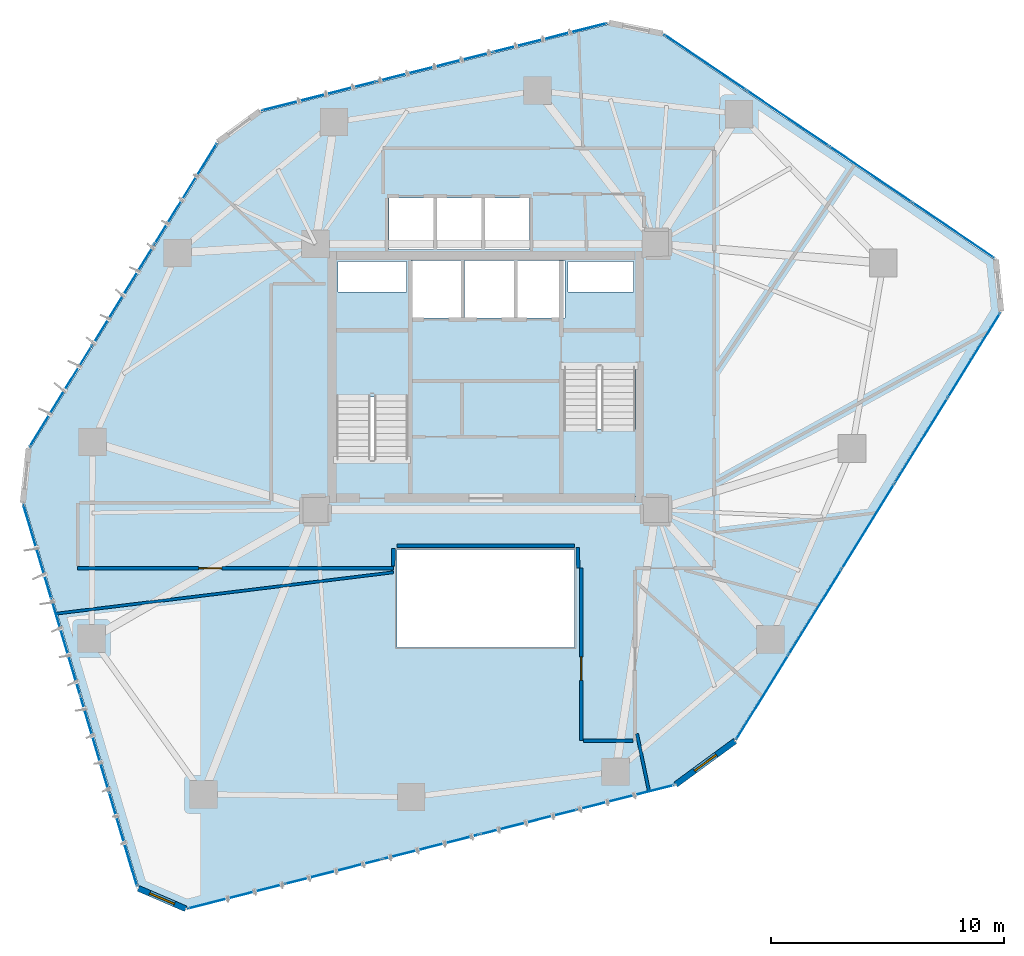
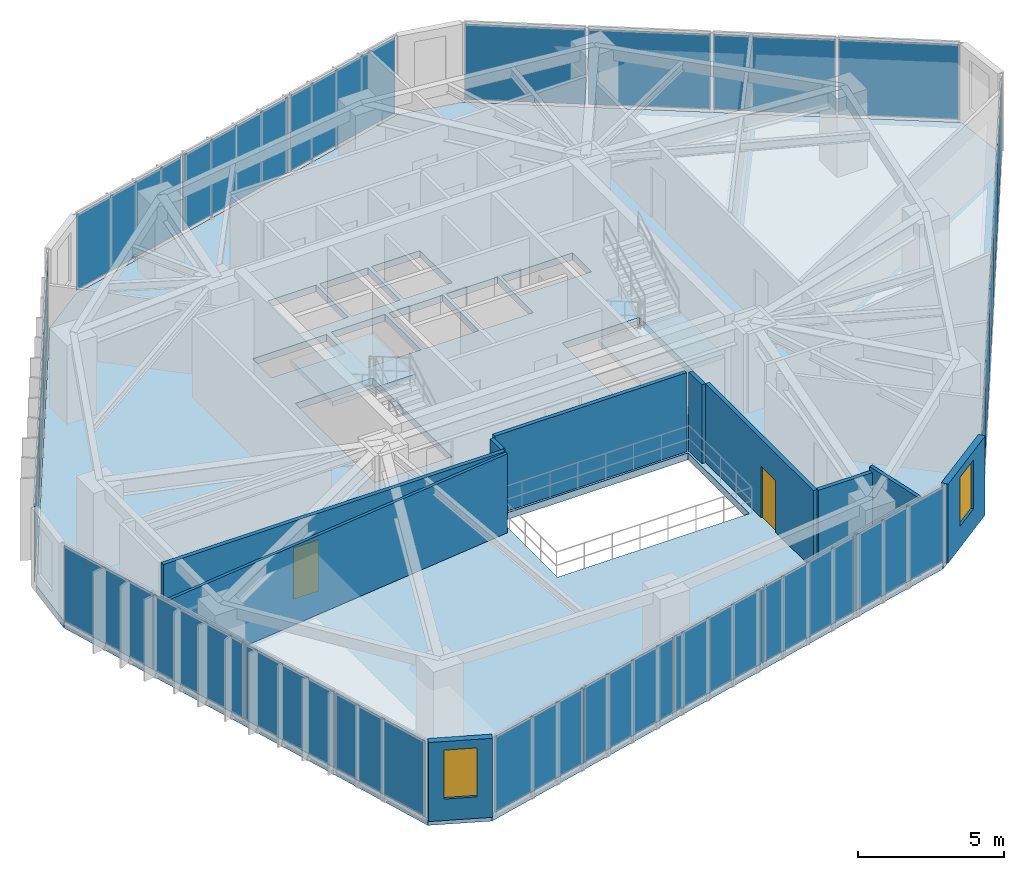
# One storey, part 15 of 20: 24 plates, 10 walls, 3 slabs, 2 doors, 2 windows, 4 openings, 8 elements without a shape of their own.
"""IFC4 building model written with IfcOpenShell, lengths in metres."""

from ifc_helpers import new_model, si_unit, direction, frame, frame_2d, origin, origin_2d, place, context, subcontext, project, spatial, polyline, rectangle, outline, extrude, source, transform, mapped, material, layer, layer_set, type_object, type_shapes, element, fill, aggregate, save


model = new_model("IFC4")

# Units and contexts
model_context = context("Model", 3, precision=1e-05, world=origin(), true_north=direction((0.0, 1.0)))
body_context = subcontext(model_context, "Body", "Model", "MODEL_VIEW")
ifc_project = project(units=[si_unit("LENGTHUNIT", "METRE"), si_unit("AREAUNIT", "SQUARE_METRE"), si_unit("VOLUMEUNIT", "CUBIC_METRE"), si_unit("PLANEANGLEUNIT", "RADIAN"), si_unit("MASSUNIT", "GRAM", prefix="KILO")], contexts=[model_context])

# Site, building, storey
site_placement = place(None, origin())
site = spatial("IfcSite", under=ifc_project, at=site_placement, CompositionType="ELEMENT")
building_placement = place(site_placement, origin())
building = spatial("IfcBuilding", under=site, at=building_placement, Name="Talar Marvaseh", CompositionType="ELEMENT")
storey_placement = place(building_placement, frame((0.0, 0.0, 132.60009765625)))
storey = spatial("IfcBuildingStorey", under=building, at=storey_placement, Name="L34", CompositionType="ELEMENT", Elevation=132.60009765625)

# Stair, slab
ifc_material_1 = material(Name="Concrete C40/50", Category="concrete")
stair_type = type_object("IfcStairType", Name="Reinforced Concrete Half-Turn Exit Stair Type B", PredefinedType="HALF_TURN_STAIR", material=ifc_material_1)
stair_1_placement = place(storey_placement, origin())
stair_1 = element("IfcStair", 1, at=stair_1_placement, inside=storey, type_object=stair_type, Name="L34 Tower West Core Exit Stair", PredefinedType="HALF_TURN_STAIR")
ifc_layer_1 = layer(ifc_material_1, 0.199951171875)
ifc_layer_set_1 = layer_set([ifc_layer_1], Name="Concrete C40/50")
slab_type_1 = type_object("IfcSlabType", Name="Reinforced Concrete Stair Half-Landing Slab 200", PredefinedType="LANDING", material=ifc_layer_set_1)
slab_1_placement = place(storey_placement, frame((0.0, 0.0, 1.599853515625)))
slab_1 = element("IfcSlab", 2, at=slab_1_placement, type_object=slab_type_1, Name="ST-1 landing 1", PredefinedType="LANDING", context=body_context, shape_type="SweptSolid", body=[
    extrude(outline(polyline([(22.780029296875, 30.330078125), (22.780029296875, 33.219970703125), (19.47998046875, 33.219970703125), (19.47998046875, 30.330078125), (22.780029296875, 30.330078125)])), origin(), (0.0, 0.0, 1.0), 0.199951171875),
])
aggregate(stair_1, [slab_1])

stair_2_placement = place(storey_placement, origin())
stair_2 = element("IfcStair", 3, at=stair_2_placement, inside=storey, type_object=stair_type, Name="L34 Tower East Core Exit Stair", PredefinedType="HALF_TURN_STAIR")
slab_2_placement = place(storey_placement, frame((0.0, 0.0, 1.599853515625)))
slab_2 = element("IfcSlab", 4, at=slab_2_placement, type_object=slab_type_1, Name="ST-2 landing 1", PredefinedType="LANDING", context=body_context, shape_type="SweptSolid", body=[
    extrude(outline(polyline([(29.219970703125, 28.969970703125), (29.219970703125, 26.080078125), (32.52001953125, 26.080078125), (32.52001953125, 28.969970703125), (29.219970703125, 28.969970703125)])), origin(), (0.0, 0.0, 1.0), 0.199951171875),
])
aggregate(stair_2, [slab_2])

# Slab
ifc_layer_2 = layer(ifc_material_1, 0.2900390625)
ifc_layer_set_2 = layer_set([ifc_layer_2], Name="Concrete C40/50")
slab_type_2 = type_object("IfcSlabType", Name="Structural Suspended Floor Slab 290", PredefinedType="FLOOR", material=ifc_layer_set_2)
slab_3_placement = place(storey_placement, frame((0.0, 0.0, -0.2900390625)))
element("IfcSlab", 5, at=slab_3_placement, inside=storey, type_object=slab_type_2, Name="L34 Tower Floor Slab", PredefinedType="FLOOR", context=body_context, shape_type="SweptSolid", body=[
    extrude(outline(polyline([(13.160400390625, 8.44384765625), (11.125, 9.321533203125), (6.214599609375, 25.796875), (6.46435546875, 28.12451171875), (14.54736328125, 41.220947265625), (16.35791015625, 42.548583984375), (31.279052734375, 46.319091796875), (33.57373046875, 45.857421875), (47.81005859375, 36.22021484375), (48.034912109375, 34.014892578125), (36.65673828125, 15.634033203125), (34.1123046875, 13.768310546875), (13.160400390625, 8.44384765625)]), holes=[polyline([(22.659912109375, 27.64990234375), (22.659912109375, 33.10009765625), (19.60009765625, 33.10009765625), (19.60009765625, 27.64990234375), (22.659912109375, 27.64990234375)]), polyline([(29.340087890625, 31.64990234375), (29.340087890625, 26.199951171875), (32.39990234375, 26.199951171875), (32.39990234375, 31.64990234375), (29.340087890625, 31.64990234375)]), polyline([(22.800048828125, 33.719970703125), (24.93994140625, 33.719970703125), (24.93994140625, 36.179931640625), (22.800048828125, 36.179931640625), (22.800048828125, 33.719970703125)]), polyline([(25.080078125, 33.719970703125), (27.219970703125, 33.719970703125), (27.219970703125, 36.179931640625), (25.080078125, 36.179931640625), (25.080078125, 33.719970703125)]), polyline([(27.360107421875, 33.719970703125), (29.39990234375, 33.719970703125), (29.39990234375, 36.179931640625), (27.360107421875, 36.179931640625), (27.360107421875, 33.719970703125)]), polyline([(21.840087890625, 36.659912109375), (23.760009765625, 36.659912109375), (23.760009765625, 38.8798828125), (21.840087890625, 38.8798828125), (21.840087890625, 36.659912109375)]), polyline([(23.89990234375, 36.659912109375), (25.820068359375, 36.659912109375), (25.820068359375, 38.8798828125), (23.89990234375, 38.8798828125), (23.89990234375, 36.659912109375)]), polyline([(25.9599609375, 36.659912109375), (27.8798828125, 36.659912109375), (27.8798828125, 38.8798828125), (25.9599609375, 38.8798828125), (25.9599609375, 36.659912109375)]), polyline([(19.659912109375, 34.840087890625), (22.60009765625, 34.840087890625), (22.60009765625, 36.139892578125), (19.659912109375, 36.139892578125), (19.659912109375, 34.840087890625)]), polyline([(29.52001953125, 34.840087890625), (32.340087890625, 34.840087890625), (32.340087890625, 36.139892578125), (29.52001953125, 36.139892578125), (29.52001953125, 34.840087890625)]), polyline([(22.199951171875, 19.60009765625), (29.800048828125, 19.60009765625), (29.800048828125, 23.800048828125), (22.199951171875, 23.800048828125), (22.199951171875, 19.60009765625)])]), origin(), (0.0, 0.0, 1.0), 0.2900390625),
])

# Curtain wall, plates
ifc_material_2 = material(Name="Architectural Aluminium", Category="aluminium")
ifc_layer_3 = layer(ifc_material_2, 0.199951171875)
ifc_layer_set_3 = layer_set([ifc_layer_3], Name="Architectural Aluminium")
curtain_wall_type = type_object("IfcCurtainWallType", Name="Unitised Acoustic Library Curtain Wall Z2", PredefinedType="NOTDEFINED", material=ifc_layer_set_3)
curtain_wall_1_placement = place(storey_placement, origin())
curtain_wall_1 = element("IfcCurtainWall", 6, at=curtain_wall_1_placement, inside=storey, type_object=curtain_wall_type, Name="L34 Unitised Acoustic Library Curtain Wall Z2", PredefinedType="NOTDEFINED")
ifc_material_3 = material(Name="Laminated Low-E Solar Glass", Category="glass")
ifc_layer_4 = layer(ifc_material_3, 0.028076171875)
ifc_layer_set_4 = layer_set([ifc_layer_4], Name="Laminated Low-E Solar Glass")
plate_type = type_object("IfcPlateType", Name="Double-Glazed Low-E Vision Curtain Panel 28", PredefinedType="CURTAIN_PANEL", material=ifc_layer_set_4)
shared_shape_1 = source(origin(), body_context, "Body", "SweptSolid", [
    extrude(rectangle(XDim=4.185302734375, YDim=0.028076171875, at=origin_2d()), origin(), (0.0, 0.0, 1.0), 3.159912109375),
])
plate_1_placement = place(storey_placement, frame((10.448486328125, 11.3818359375, 0.07470703125), z_axis=(0.0, 0.0, 1.0), x_axis=(-0.28562799874, 0.958340569075, 0.0)))
plate_1 = element("IfcPlate", 7, at=plate_1_placement, type_object=plate_type, Name="CW-Z2 panel 1.1", PredefinedType="CURTAIN_PANEL", context=body_context, shape_type="MappedRepresentation", body=[
    mapped(shared_shape_1, transform((0.0, 0.0, 0.0), x_axis=(1.0, 0.0, 0.0), y_axis=(0.0, 1.0, 0.0), z_axis=(0.0, 0.0, 1.0), scale=1.0)),
])
plate_2_placement = place(storey_placement, frame((6.7763671875, 23.702392578125, 0.07470703125), z_axis=(0.0, 0.0, 1.0), x_axis=(-0.28562799874, 0.958340569075, 0.0)))
plate_2 = element("IfcPlate", 8, at=plate_2_placement, type_object=plate_type, Name="CW-Z2 panel 4.1", PredefinedType="CURTAIN_PANEL", context=body_context, shape_type="MappedRepresentation", body=[
    mapped(shared_shape_1, transform((0.0, 0.0, 0.0), x_axis=(1.0, 0.0, 0.0), y_axis=(0.0, 1.0, 0.0), z_axis=(0.0, 0.0, 1.0), scale=1.0)),
])

curtain_wall_2_placement = place(storey_placement, origin())
curtain_wall_2 = element("IfcCurtainWall", 9, at=curtain_wall_2_placement, inside=storey, type_object=curtain_wall_type, Name="L34 Unitised Acoustic Library Curtain Wall Z2", PredefinedType="NOTDEFINED")
plate_3_placement = place(storey_placement, frame((35.40234375, 44.69189453125, 0.07470703125), z_axis=(0.0, 0.0, 1.0), x_axis=(0.828098131037, -0.560583165439, 0.0)))
plate_3 = element("IfcPlate", 10, at=plate_3_placement, type_object=plate_type, Name="CW-Z2 panel 1.1", PredefinedType="CURTAIN_PANEL", context=body_context, shape_type="MappedRepresentation", body=[
    mapped(shared_shape_1, transform((0.0, 0.0, 0.0), x_axis=(1.0, 0.0, 0.0), y_axis=(0.0, 1.0, 0.0), z_axis=(0.0, 0.0, 1.0), scale=1.0)),
])
plate_4_placement = place(storey_placement, frame((46.048583984375, 37.48486328125, 0.07470703125), z_axis=(0.0, 0.0, 1.0), x_axis=(0.828098131037, -0.560583165439, 0.0)))
plate_4 = element("IfcPlate", 11, at=plate_4_placement, type_object=plate_type, Name="CW-Z2 panel 4.1", PredefinedType="CURTAIN_PANEL", context=body_context, shape_type="MappedRepresentation", body=[
    mapped(shared_shape_1, transform((0.0, 0.0, 0.0), x_axis=(1.0, 0.0, 0.0), y_axis=(0.0, 1.0, 0.0), z_axis=(0.0, 0.0, 1.0), scale=1.0)),
])

# Plate
shared_shape_2 = source(origin(), body_context, "Body", "SweptSolid", [
    extrude(rectangle(XDim=4.222900390625, YDim=0.028076171875, at=origin_2d()), origin(), (0.0, 0.0, 1.0), 3.159912109375),
])
plate_5_placement = place(storey_placement, frame((9.226318359375, 15.482666015625, 0.07470703125), z_axis=(0.0, 0.0, 1.0), x_axis=(-0.28562799874, 0.958340569075, 0.0)))
plate_5 = element("IfcPlate", 12, at=plate_5_placement, type_object=plate_type, Name="CW-Z2 panel 2.1", PredefinedType="CURTAIN_PANEL", context=body_context, shape_type="MappedRepresentation", body=[
    mapped(shared_shape_2, transform((0.0, 0.0, 0.0), x_axis=(1.0, 0.0, 0.0), y_axis=(0.0, 1.0, 0.0), z_axis=(0.0, 0.0, 1.0), scale=1.0)),
])

plate_6_placement = place(storey_placement, frame((7.99853515625, 19.6015625, 0.07470703125), z_axis=(0.0, 0.0, 1.0), x_axis=(-0.28562799874, 0.958340569075, 0.0)))
plate_6 = element("IfcPlate", 13, at=plate_6_placement, type_object=plate_type, Name="CW-Z2 panel 3.1", PredefinedType="CURTAIN_PANEL", context=body_context, shape_type="MappedRepresentation", body=[
    mapped(shared_shape_2, transform((0.0, 0.0, 0.0), x_axis=(1.0, 0.0, 0.0), y_axis=(0.0, 1.0, 0.0), z_axis=(0.0, 0.0, 1.0), scale=1.0)),
])

aggregate(curtain_wall_1, [plate_1, plate_5, plate_6, plate_2])

plate_7_placement = place(storey_placement, frame((38.946044921875, 42.293212890625, 0.07470703125), z_axis=(0.0, 0.0, 1.0), x_axis=(0.828098131037, -0.560583165439, 0.0)))
plate_7 = element("IfcPlate", 14, at=plate_7_placement, type_object=plate_type, Name="CW-Z2 panel 2.1", PredefinedType="CURTAIN_PANEL", context=body_context, shape_type="MappedRepresentation", body=[
    mapped(shared_shape_2, transform((0.0, 0.0, 0.0), x_axis=(1.0, 0.0, 0.0), y_axis=(0.0, 1.0, 0.0), z_axis=(0.0, 0.0, 1.0), scale=1.0)),
])

plate_8_placement = place(storey_placement, frame((42.505126953125, 39.8837890625, 0.07470703125), z_axis=(0.0, 0.0, 1.0), x_axis=(0.828098131037, -0.560583165439, 0.0)))
plate_8 = element("IfcPlate", 15, at=plate_8_placement, type_object=plate_type, Name="CW-Z2 panel 3.1", PredefinedType="CURTAIN_PANEL", context=body_context, shape_type="MappedRepresentation", body=[
    mapped(shared_shape_2, transform((0.0, 0.0, 0.0), x_axis=(1.0, 0.0, 0.0), y_axis=(0.0, 1.0, 0.0), z_axis=(0.0, 0.0, 1.0), scale=1.0)),
])

aggregate(curtain_wall_2, [plate_3, plate_7, plate_8, plate_4])

# Curtain wall, plates
curtain_wall_3_placement = place(storey_placement, origin())
curtain_wall_3 = element("IfcCurtainWall", 16, at=curtain_wall_3_placement, inside=storey, type_object=curtain_wall_type, Name="L34 Unitised Acoustic Library Curtain Wall Z2", PredefinedType="NOTDEFINED")
shared_shape_3 = source(origin(), body_context, "Body", "SweptSolid", [
    extrude(rectangle(XDim=5.017578125, YDim=0.028076171875, at=origin_2d()), origin(), (0.0, 0.0, 1.0), 3.159912109375),
])
plate_9_placement = place(storey_placement, frame((7.770263671875, 30.354736328125, 0.07470703125), z_axis=(0.0, 0.0, 1.0), x_axis=(0.525207051026, 0.850974472915, 0.0)))
plate_9 = element("IfcPlate", 17, at=plate_9_placement, type_object=plate_type, Name="CW-Z2 panel 1.1", PredefinedType="CURTAIN_PANEL", context=body_context, shape_type="MappedRepresentation", body=[
    mapped(shared_shape_3, transform((0.0, 0.0, 0.0), x_axis=(1.0, 0.0, 0.0), y_axis=(0.0, 1.0, 0.0), z_axis=(0.0, 0.0, 1.0), scale=1.0)),
])
plate_10_placement = place(storey_placement, frame((13.139404296875, 39.0537109375, 0.07470703125), z_axis=(0.0, 0.0, 1.0), x_axis=(0.525207051026, 0.850974472915, 0.0)))
plate_10 = element("IfcPlate", 18, at=plate_10_placement, type_object=plate_type, Name="CW-Z2 panel 3.1", PredefinedType="CURTAIN_PANEL", context=body_context, shape_type="MappedRepresentation", body=[
    mapped(shared_shape_3, transform((0.0, 0.0, 0.0), x_axis=(1.0, 0.0, 0.0), y_axis=(0.0, 1.0, 0.0), z_axis=(0.0, 0.0, 1.0), scale=1.0)),
])

curtain_wall_4_placement = place(storey_placement, origin())
curtain_wall_4 = element("IfcCurtainWall", 19, at=curtain_wall_4_placement, inside=storey, type_object=curtain_wall_type, Name="L34 Unitised Acoustic Library Curtain Wall Z2", PredefinedType="NOTDEFINED")
plate_11_placement = place(storey_placement, frame((18.84814453125, 43.23974609375, 0.07470703125), z_axis=(0.0, 0.0, 1.0), x_axis=(0.969521308822, 0.245007003451, 0.0)))
plate_11 = element("IfcPlate", 20, at=plate_11_placement, type_object=plate_type, Name="CW-Z2 panel 1.1", PredefinedType="CURTAIN_PANEL", context=body_context, shape_type="MappedRepresentation", body=[
    mapped(shared_shape_3, transform((0.0, 0.0, 0.0), x_axis=(1.0, 0.0, 0.0), y_axis=(0.0, 1.0, 0.0), z_axis=(0.0, 0.0, 1.0), scale=1.0)),
])
plate_12_placement = place(storey_placement, frame((28.75927734375, 45.744384765625, 0.07470703125), z_axis=(0.0, 0.0, 1.0), x_axis=(0.969521308822, 0.245007003451, 0.0)))
plate_12 = element("IfcPlate", 21, at=plate_12_placement, type_object=plate_type, Name="CW-Z2 panel 3.1", PredefinedType="CURTAIN_PANEL", context=body_context, shape_type="MappedRepresentation", body=[
    mapped(shared_shape_3, transform((0.0, 0.0, 0.0), x_axis=(1.0, 0.0, 0.0), y_axis=(0.0, 1.0, 0.0), z_axis=(0.0, 0.0, 1.0), scale=1.0)),
])

# Plate
shared_shape_4 = source(origin(), body_context, "Body", "SweptSolid", [
    extrude(rectangle(XDim=5.054931640625, YDim=0.028076171875, at=origin_2d()), origin(), (0.0, 0.0, 1.0), 3.159912109375),
])
plate_13_placement = place(storey_placement, frame((10.454833984375, 34.7041015625, 0.07470703125), z_axis=(0.0, 0.0, 1.0), x_axis=(0.525207051026, 0.850974472915, 0.0)))
plate_13 = element("IfcPlate", 22, at=plate_13_placement, type_object=plate_type, Name="CW-Z2 panel 2.1", PredefinedType="CURTAIN_PANEL", context=body_context, shape_type="MappedRepresentation", body=[
    mapped(shared_shape_4, transform((0.0, 0.0, 0.0), x_axis=(1.0, 0.0, 0.0), y_axis=(0.0, 1.0, 0.0), z_axis=(0.0, 0.0, 1.0), scale=1.0)),
])

aggregate(curtain_wall_3, [plate_9, plate_13, plate_10])

shared_shape_5 = source(origin(), body_context, "Body", "SweptSolid", [
    extrude(rectangle(XDim=5.05517578125, YDim=0.028076171875, at=origin_2d()), origin(), (0.0, 0.0, 1.0), 3.159912109375),
])
plate_14_placement = place(storey_placement, frame((23.8037109375, 44.491943359375, 0.07470703125), z_axis=(0.0, 0.0, 1.0), x_axis=(0.969521308822, 0.245007003451, 0.0)))
plate_14 = element("IfcPlate", 23, at=plate_14_placement, type_object=plate_type, Name="CW-Z2 panel 2.1", PredefinedType="CURTAIN_PANEL", context=body_context, shape_type="MappedRepresentation", body=[
    mapped(shared_shape_5, transform((0.0, 0.0, 0.0), x_axis=(1.0, 0.0, 0.0), y_axis=(0.0, 1.0, 0.0), z_axis=(0.0, 0.0, 1.0), scale=1.0)),
])

aggregate(curtain_wall_4, [plate_11, plate_14, plate_12])

# Curtain wall, plates
curtain_wall_5_placement = place(storey_placement, origin())
curtain_wall_5 = element("IfcCurtainWall", 24, at=curtain_wall_5_placement, inside=storey, type_object=curtain_wall_type, Name="L34 Unitised Acoustic Library Curtain Wall Z2", PredefinedType="NOTDEFINED")
shared_shape_6 = source(origin(), body_context, "Body", "SweptSolid", [
    extrude(rectangle(XDim=4.2109375, YDim=0.028076171875, at=origin_2d()), origin(), (0.0, 0.0, 1.0), 3.159912109375),
])
plate_15_placement = place(storey_placement, frame((46.938232421875, 32.12939453125, 0.07470703125), z_axis=(0.0, 0.0, 1.0), x_axis=(-0.526342830035, -0.850272441792, 0.0)))
plate_15 = element("IfcPlate", 25, at=plate_15_placement, type_object=plate_type, Name="CW-Z2 panel 1.1", PredefinedType="CURTAIN_PANEL", context=body_context, shape_type="MappedRepresentation", body=[
    mapped(shared_shape_6, transform((0.0, 0.0, 0.0), x_axis=(1.0, 0.0, 0.0), y_axis=(0.0, 1.0, 0.0), z_axis=(0.0, 0.0, 1.0), scale=1.0)),
])
plate_16_placement = place(storey_placement, frame((37.85546875, 17.45654296875, 0.07470703125), z_axis=(0.0, 0.0, 1.0), x_axis=(-0.526342830035, -0.850272441792, 0.0)))
plate_16 = element("IfcPlate", 26, at=plate_16_placement, type_object=plate_type, Name="CW-Z2 panel 5.1", PredefinedType="CURTAIN_PANEL", context=body_context, shape_type="MappedRepresentation", body=[
    mapped(shared_shape_6, transform((0.0, 0.0, 0.0), x_axis=(1.0, 0.0, 0.0), y_axis=(0.0, 1.0, 0.0), z_axis=(0.0, 0.0, 1.0), scale=1.0)),
])

curtain_wall_6_placement = place(storey_placement, origin())
curtain_wall_6 = element("IfcCurtainWall", 27, at=curtain_wall_6_placement, inside=storey, type_object=curtain_wall_type, Name="L34 Unitised Acoustic Library Curtain Wall Z2", PredefinedType="NOTDEFINED")
plate_17_placement = place(storey_placement, frame((32.013671875, 13.173095703125, 0.07470703125), z_axis=(0.0, 0.0, 1.0), x_axis=(-0.969192866342, -0.246303040648, 0.0)))
plate_17 = element("IfcPlate", 28, at=plate_17_placement, type_object=plate_type, Name="CW-Z2 panel 1.1", PredefinedType="CURTAIN_PANEL", context=body_context, shape_type="MappedRepresentation", body=[
    mapped(shared_shape_6, transform((0.0, 0.0, 0.0), x_axis=(1.0, 0.0, 0.0), y_axis=(0.0, 1.0, 0.0), z_axis=(0.0, 0.0, 1.0), scale=1.0)),
])
plate_18_placement = place(storey_placement, frame((15.28857421875, 8.9228515625, 0.07470703125), z_axis=(0.0, 0.0, 1.0), x_axis=(-0.969192866342, -0.246303040648, 0.0)))
plate_18 = element("IfcPlate", 29, at=plate_18_placement, type_object=plate_type, Name="CW-Z2 panel 5.1", PredefinedType="CURTAIN_PANEL", context=body_context, shape_type="MappedRepresentation", body=[
    mapped(shared_shape_6, transform((0.0, 0.0, 0.0), x_axis=(1.0, 0.0, 0.0), y_axis=(0.0, 1.0, 0.0), z_axis=(0.0, 0.0, 1.0), scale=1.0)),
])

# Plate
shared_shape_7 = source(origin(), body_context, "Body", "SweptSolid", [
    extrude(rectangle(XDim=4.24853515625, YDim=0.028076171875, at=origin_2d()), origin(), (0.0, 0.0, 1.0), 3.159912109375),
])
type_shapes(plate_type, [shared_shape_1, shared_shape_2, shared_shape_3, shared_shape_4, shared_shape_5, shared_shape_6, shared_shape_7])
plate_19_placement = place(storey_placement, frame((44.672607421875, 28.46923828125, 0.07470703125), z_axis=(0.0, 0.0, 1.0), x_axis=(-0.526342830035, -0.850272441792, 0.0)))
plate_19 = element("IfcPlate", 30, at=plate_19_placement, type_object=plate_type, Name="CW-Z2 panel 2.1", PredefinedType="CURTAIN_PANEL", context=body_context, shape_type="MappedRepresentation", body=[
    mapped(shared_shape_7, transform((0.0, 0.0, 0.0), x_axis=(1.0, 0.0, 0.0), y_axis=(0.0, 1.0, 0.0), z_axis=(0.0, 0.0, 1.0), scale=1.0)),
])

plate_20_placement = place(storey_placement, frame((42.396728515625, 24.79296875, 0.07470703125), z_axis=(0.0, 0.0, 1.0), x_axis=(-0.526342830035, -0.850272441792, 0.0)))
plate_20 = element("IfcPlate", 31, at=plate_20_placement, type_object=plate_type, Name="CW-Z2 panel 3.1", PredefinedType="CURTAIN_PANEL", context=body_context, shape_type="MappedRepresentation", body=[
    mapped(shared_shape_7, transform((0.0, 0.0, 0.0), x_axis=(1.0, 0.0, 0.0), y_axis=(0.0, 1.0, 0.0), z_axis=(0.0, 0.0, 1.0), scale=1.0)),
])

plate_21_placement = place(storey_placement, frame((40.12109375, 21.11669921875, 0.07470703125), z_axis=(0.0, 0.0, 1.0), x_axis=(-0.526342830035, -0.850272441792, 0.0)))
plate_21 = element("IfcPlate", 32, at=plate_21_placement, type_object=plate_type, Name="CW-Z2 panel 4.1", PredefinedType="CURTAIN_PANEL", context=body_context, shape_type="MappedRepresentation", body=[
    mapped(shared_shape_7, transform((0.0, 0.0, 0.0), x_axis=(1.0, 0.0, 0.0), y_axis=(0.0, 1.0, 0.0), z_axis=(0.0, 0.0, 1.0), scale=1.0)),
])

aggregate(curtain_wall_5, [plate_15, plate_19, plate_20, plate_21, plate_16])

plate_22_placement = place(storey_placement, frame((27.841552734375, 12.11279296875, 0.07470703125), z_axis=(0.0, 0.0, 1.0), x_axis=(-0.969192866342, -0.246303040648, 0.0)))
plate_22 = element("IfcPlate", 33, at=plate_22_placement, type_object=plate_type, Name="CW-Z2 panel 2.1", PredefinedType="CURTAIN_PANEL", context=body_context, shape_type="MappedRepresentation", body=[
    mapped(shared_shape_7, transform((0.0, 0.0, 0.0), x_axis=(1.0, 0.0, 0.0), y_axis=(0.0, 1.0, 0.0), z_axis=(0.0, 0.0, 1.0), scale=1.0)),
])

plate_23_placement = place(storey_placement, frame((23.651123046875, 11.0478515625, 0.07470703125), z_axis=(0.0, 0.0, 1.0), x_axis=(-0.969192866342, -0.246303040648, 0.0)))
plate_23 = element("IfcPlate", 34, at=plate_23_placement, type_object=plate_type, Name="CW-Z2 panel 3.1", PredefinedType="CURTAIN_PANEL", context=body_context, shape_type="MappedRepresentation", body=[
    mapped(shared_shape_7, transform((0.0, 0.0, 0.0), x_axis=(1.0, 0.0, 0.0), y_axis=(0.0, 1.0, 0.0), z_axis=(0.0, 0.0, 1.0), scale=1.0)),
])

plate_24_placement = place(storey_placement, frame((19.460693359375, 9.983154296875, 0.07470703125), z_axis=(0.0, 0.0, 1.0), x_axis=(-0.969192866342, -0.246303040648, 0.0)))
plate_24 = element("IfcPlate", 35, at=plate_24_placement, type_object=plate_type, Name="CW-Z2 panel 4.1", PredefinedType="CURTAIN_PANEL", context=body_context, shape_type="MappedRepresentation", body=[
    mapped(shared_shape_7, transform((0.0, 0.0, 0.0), x_axis=(1.0, 0.0, 0.0), y_axis=(0.0, 1.0, 0.0), z_axis=(0.0, 0.0, 1.0), scale=1.0)),
])

aggregate(curtain_wall_6, [plate_17, plate_22, plate_23, plate_24, plate_18])

# Wall, opening, window
ifc_material_4 = material(Name="Precast concrete C45/55", Category="concrete")
ifc_layer_5 = layer(ifc_material_4, 0.2548828125)
ifc_layer_set_5 = layer_set([ifc_layer_5], Name="Precast concrete C45/55")
wall_type_1 = type_object("IfcWallType", Name="Chamfered Hexagonal Corner Pier Wall Z2 255", PredefinedType="SOLIDWALL", material=ifc_layer_set_5)
wall_1_placement = place(storey_placement, frame((13.13671875, 8.388916015625, 0.0), z_axis=(0.0, 0.0, 1.0), x_axis=(-0.918305446585, 0.395872589064, 0.0)))
wall_1 = element("IfcWall", 36, at=wall_1_placement, inside=storey, type_object=wall_type_1, Name="L34 Chamfered Corner Limestone Pier 1", PredefinedType="SOLIDWALL", context=body_context, shape_type="SweptSolid", body=[
    extrude(rectangle(XDim=2.216552734375, YDim=0.2548828125, at=frame_2d((1.1083984375, 0.0))), origin(), (0.0, 0.0, 1.0), 3.309814453125),
])
opening_1_placement = place(wall_1_placement, frame((0.532958984375, 0.0, 0.89990234375)))
opening_1 = element("IfcOpeningElement", 37, at=opening_1_placement, cuts=wall_1, Name="Opening WN-CHM11", PredefinedType="OPENING", context=body_context, shape_type="SweptSolid", body=[
    extrude(rectangle(XDim=1.14990234375, YDim=2.050048828125, at=frame_2d((0.574951171875, 1.02490234375))), frame((0.0, 0.137451171875, 0.0), z_axis=(0.0, -1.0, 0.0), x_axis=(1.0, 0.0, 0.0)), (0.0, 0.0, 1.0), 0.27490234375),
])
window_type = type_object("IfcWindowType", Name="Zone 2 Chamfered Corner Slot Window 1150x2050", PartitioningType="SINGLE_PANEL", PredefinedType="WINDOW", material=ifc_material_3)
shared_shape_8 = source(origin(), body_context, "Body", "SweptSolid", [
    extrude(rectangle(XDim=1.14990234375, YDim=2.050048828125, at=frame_2d((0.574951171875, 1.02490234375))), frame((0.0, 0.030029296875, 0.0), z_axis=(0.0, -1.0, 0.0), x_axis=(1.0, 0.0, 0.0)), (0.0, 0.0, 1.0), 0.06005859375),
])
type_shapes(window_type, [shared_shape_8])
window_1_placement = place(opening_1_placement, origin())
window_1 = element("IfcWindow", 38, at=window_1_placement, inside=storey, type_object=window_type, Name="L34 Chamfered Corner Slot Window", OverallHeight=2.050048828125, OverallWidth=1.14990234375, PartitioningType="SINGLE_PANEL", PredefinedType="WINDOW", context=body_context, shape_type="MappedRepresentation", body=[
    mapped(shared_shape_8, transform((0.0, 0.0, 0.0), x_axis=(1.0, 0.0, 0.0), y_axis=(0.0, 1.0, 0.0), z_axis=(0.0, 0.0, 1.0), scale=1.0)),
])
fill(opening_1, window_1)

wall_2_placement = place(storey_placement, frame((36.692138671875, 15.585693359375, 0.0), z_axis=(0.0, 0.0, 1.0), x_axis=(-0.806434514818, -0.59132340839, 0.0)))
wall_2 = element("IfcWall", 39, at=wall_2_placement, inside=storey, type_object=wall_type_1, Name="L34 Chamfered Corner Limestone Pier 6", PredefinedType="SOLIDWALL", context=body_context, shape_type="SweptSolid", body=[
    extrude(rectangle(XDim=3.1552734375, YDim=0.2548828125, at=frame_2d((1.57763671875, 0.0))), origin(), (0.0, 0.0, 1.0), 3.309814453125),
])
opening_2_placement = place(wall_2_placement, frame((1.0029296875, 0.0, 0.89990234375)))
opening_2 = element("IfcOpeningElement", 40, at=opening_2_placement, cuts=wall_2, Name="Opening WN-CHM11", PredefinedType="OPENING", context=body_context, shape_type="SweptSolid", body=[
    extrude(rectangle(XDim=1.14990234375, YDim=2.050048828125, at=frame_2d((0.574951171875, 1.02490234375))), frame((0.0, 0.137451171875, 0.0), z_axis=(0.0, -1.0, 0.0), x_axis=(1.0, 0.0, 0.0)), (0.0, 0.0, 1.0), 0.27490234375),
])
window_2_placement = place(opening_2_placement, origin())
window_2 = element("IfcWindow", 41, at=window_2_placement, inside=storey, type_object=window_type, Name="L34 Chamfered Corner Slot Window", OverallHeight=2.050048828125, OverallWidth=1.14990234375, PartitioningType="SINGLE_PANEL", PredefinedType="WINDOW", context=body_context, shape_type="MappedRepresentation", body=[
    mapped(shared_shape_8, transform((0.0, 0.0, 0.0), x_axis=(1.0, 0.0, 0.0), y_axis=(0.0, 1.0, 0.0), z_axis=(0.0, 0.0, 1.0), scale=1.0)),
])
fill(opening_2, window_2)

# Wall, opening, door
ifc_material_5 = material(Name="Gypsum Board Partition Assembly")
ifc_layer_6 = layer(ifc_material_5, 0.155029296875)
ifc_layer_set_6 = layer_set([ifc_layer_6], Name="Gypsum Board Partition Assembly")
wall_type_2 = type_object("IfcWallType", Name="Corridor Fire-Rated Acoustic Partition 155", PredefinedType="PARTITIONING", material=ifc_layer_set_6)
wall_3_placement = place(storey_placement, frame((22.0400390625, 23.0, 0.0), z_axis=(0.0, 0.0, 1.0), x_axis=(-1.0, 0.0, 0.0)))
wall_3 = element("IfcWall", 42, at=wall_3_placement, inside=storey, type_object=wall_type_2, Name="L34 Interior Partition Wall", PredefinedType="PARTITIONING", context=body_context, shape_type="SweptSolid", body=[
    extrude(rectangle(XDim=13.5400390625, YDim=0.155029296875, at=frame_2d((6.77001953125, 0.0))), origin(), (0.0, 0.0, 1.0), 3.309814453125),
])
opening_3_placement = place(wall_3_placement, frame((7.353271484375, 0.0, 0.0)))
opening_3 = element("IfcOpeningElement", 43, at=opening_3_placement, cuts=wall_3, Name="Opening DR-RM100", PredefinedType="OPENING", context=body_context, shape_type="SweptSolid", body=[
    extrude(rectangle(XDim=1.0, YDim=2.14990234375, at=frame_2d((0.5, 1.074951171875))), frame((0.0, 0.08740234375, 0.0), z_axis=(0.0, -1.0, 0.0), x_axis=(1.0, 0.0, 0.0)), (0.0, 0.0, 1.0), 0.175048828125),
])
ifc_material_6 = material(Name="Acoustic Engineered Oak Timber", Category="wood")
door_type = type_object("IfcDoorType", Name="Corridor Fire-Rated Gallery Door 1000x2150", OperationType="NOTDEFINED", PredefinedType="DOOR", material=ifc_material_6)
shared_shape_9 = source(origin(), body_context, "Body", "SweptSolid", [
    extrude(rectangle(XDim=1.0, YDim=2.14990234375, at=frame_2d((0.5, 1.074951171875))), frame((0.0, 0.02490234375, 0.0), z_axis=(0.0, -1.0, 0.0), x_axis=(1.0, 0.0, 0.0)), (0.0, 0.0, 1.0), 0.050048828125),
])
type_shapes(door_type, [shared_shape_9])
door_1_placement = place(opening_3_placement, origin())
door_1 = element("IfcDoor", 44, at=door_1_placement, inside=storey, type_object=door_type, Name="L34 Editorial Administration Office Door", OperationType="SINGLE_SWING_LEFT", OverallHeight=2.14990234375, OverallWidth=1.0, PredefinedType="DOOR", context=body_context, shape_type="MappedRepresentation", body=[
    mapped(shared_shape_9, transform((0.0, 0.0, 0.0), x_axis=(1.0, 0.0, 0.0), y_axis=(0.0, 1.0, 0.0), z_axis=(0.0, 0.0, 1.0), scale=1.0)),
])
fill(opening_3, door_1)

wall_4_placement = place(storey_placement, frame((30.10009765625, 15.60009765625, 0.0), z_axis=(0.0, 0.0, 1.0), x_axis=(0.0, 1.0, 0.0)))
wall_4 = element("IfcWall", 45, at=wall_4_placement, inside=storey, type_object=wall_type_2, Name="L34 Interior Partition Wall", PredefinedType="PARTITIONING", context=body_context, shape_type="SweptSolid", body=[
    extrude(rectangle(XDim=7.39990234375, YDim=0.155029296875, at=frame_2d((3.699951171875, 0.0))), origin(), (0.0, 0.0, 1.0), 3.309814453125),
])
opening_4_placement = place(wall_4_placement, frame((2.589599609375, 0.0, 0.0)))
opening_4 = element("IfcOpeningElement", 46, at=opening_4_placement, cuts=wall_4, Name="Opening DR-RM100", PredefinedType="OPENING", context=body_context, shape_type="SweptSolid", body=[
    extrude(rectangle(XDim=1.0, YDim=2.14990234375, at=frame_2d((0.5, 1.074951171875))), frame((0.0, 0.08740234375, 0.0), z_axis=(0.0, -1.0, 0.0), x_axis=(1.0, 0.0, 0.0)), (0.0, 0.0, 1.0), 0.175048828125),
])
door_2_placement = place(opening_4_placement, origin())
door_2 = element("IfcDoor", 47, at=door_2_placement, inside=storey, type_object=door_type, Name="L34 Curatorial Office Door", OperationType="SINGLE_SWING_LEFT", OverallHeight=2.14990234375, OverallWidth=1.0, PredefinedType="DOOR", context=body_context, shape_type="MappedRepresentation", body=[
    mapped(shared_shape_9, transform((0.0, 0.0, 0.0), x_axis=(1.0, 0.0, 0.0), y_axis=(0.0, 1.0, 0.0), z_axis=(0.0, 0.0, 1.0), scale=1.0)),
])
fill(opening_4, door_2)

# Walls
wall_5_placement = place(storey_placement, frame((29.800048828125, 23.9599609375, 0.0), z_axis=(0.0, 0.0, 1.0), x_axis=(-0.999999995375, -9.617234e-05, 0.0)))
element("IfcWall", 48, at=wall_5_placement, inside=storey, type_object=wall_type_2, Name="L34 Interior Partition Wall", PredefinedType="PARTITIONING", context=body_context, shape_type="SweptSolid", body=[
    extrude(rectangle(XDim=7.61572265625, YDim=0.155029296875, at=frame_2d((3.807861328125, 0.0))), origin(), (0.0, 0.0, 1.0), 3.309814453125),
])
wall_6_placement = place(storey_placement, frame((22.043212890625, 23.831298828125, 0.0), z_axis=(0.0, 0.0, 1.0), x_axis=(-0.003917697652, -0.999992325793, 0.0)))
element("IfcWall", 49, at=wall_6_placement, inside=storey, type_object=wall_type_2, Name="L34 Interior Partition Wall", PredefinedType="PARTITIONING", context=body_context, shape_type="SweptSolid", body=[
    extrude(rectangle(XDim=0.747802734375, YDim=0.155029296875, at=frame_2d((0.3740234375, 0.0))), origin(), (0.0, 0.0, 1.0), 3.309814453125),
])
wall_7_placement = place(storey_placement, frame((32.31640625, 15.60009765625, 0.0), z_axis=(0.0, 0.0, 1.0), x_axis=(-1.0, 0.0, 0.0)))
element("IfcWall", 50, at=wall_7_placement, inside=storey, type_object=wall_type_2, Name="L34 Interior Partition Wall", PredefinedType="PARTITIONING", context=body_context, shape_type="SweptSolid", body=[
    extrude(rectangle(XDim=2.1328125, YDim=0.155029296875, at=frame_2d((1.06640625, 0.0))), origin(), (0.0, 0.0, 1.0), 3.309814453125),
])
wall_8_placement = place(storey_placement, frame((29.9599609375, 23.0, 0.0), z_axis=(0.0, 0.0, 1.0), x_axis=(-0.021467444279, 0.999769547864, 0.0)))
element("IfcWall", 51, at=wall_8_placement, inside=storey, type_object=wall_type_2, Name="L34 Interior Partition Wall", PredefinedType="PARTITIONING", context=body_context, shape_type="SweptSolid", body=[
    extrude(rectangle(XDim=0.875732421875, YDim=0.155029296875, at=frame_2d((0.43798828125, 0.0))), origin(), (0.0, 0.0, 1.0), 3.309814453125),
])
ifc_layer_7 = layer(ifc_material_5, 0.1201171875)
ifc_layer_set_7 = layer_set([ifc_layer_7], Name="Gypsum Board Partition Assembly")
wall_type_3 = type_object("IfcWallType", Name="Demountable Studio Room Partition 120", PredefinedType="PARTITIONING", material=ifc_layer_set_7)
wall_9_placement = place(storey_placement, frame((7.593017578125, 21.04833984375, 0.0), z_axis=(0.0, 0.0, 1.0), x_axis=(0.992563947663, 0.121724318854, 0.0)))
element("IfcWall", 52, at=wall_9_placement, inside=storey, type_object=wall_type_3, Name="L34 Interior Partition Wall", PredefinedType="PARTITIONING", context=body_context, shape_type="SweptSolid", body=[
    extrude(rectangle(XDim=14.55517578125, YDim=0.1201171875, at=frame_2d((7.277587890625, 0.0))), origin(), (0.0, 0.0, 1.0), 3.309814453125),
])
ifc_layer_8 = layer(ifc_material_5, 0.135009765625)
ifc_layer_set_8 = layer_set([ifc_layer_8], Name="Gypsum Board Partition Assembly")
wall_type_4 = type_object("IfcWallType", Name="Gallery High-Acoustic Partition 135", PredefinedType="PARTITIONING", material=ifc_layer_set_8)
wall_10_placement = place(storey_placement, frame((32.4833984375, 15.900390625, 0.0), z_axis=(0.0, 0.0, 1.0), x_axis=(0.2045808481, -0.978849670067, 0.0)))
element("IfcWall", 53, at=wall_10_placement, inside=storey, type_object=wall_type_4, Name="L34 Interior Partition Wall", PredefinedType="PARTITIONING", context=body_context, shape_type="SweptSolid", body=[
    extrude(rectangle(XDim=2.5048828125, YDim=0.135009765625, at=frame_2d((1.25244140625, 0.0))), origin(), (0.0, 0.0, 1.0), 3.309814453125),
])

save(model, "model.ifc")
